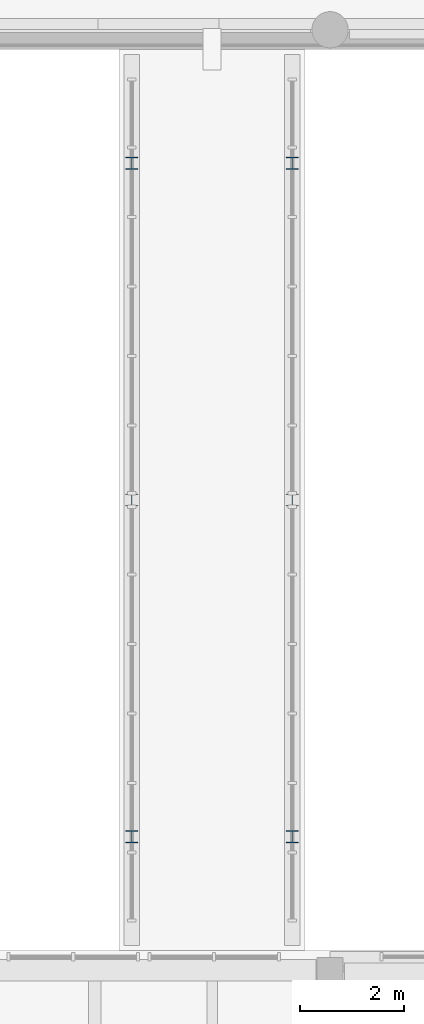
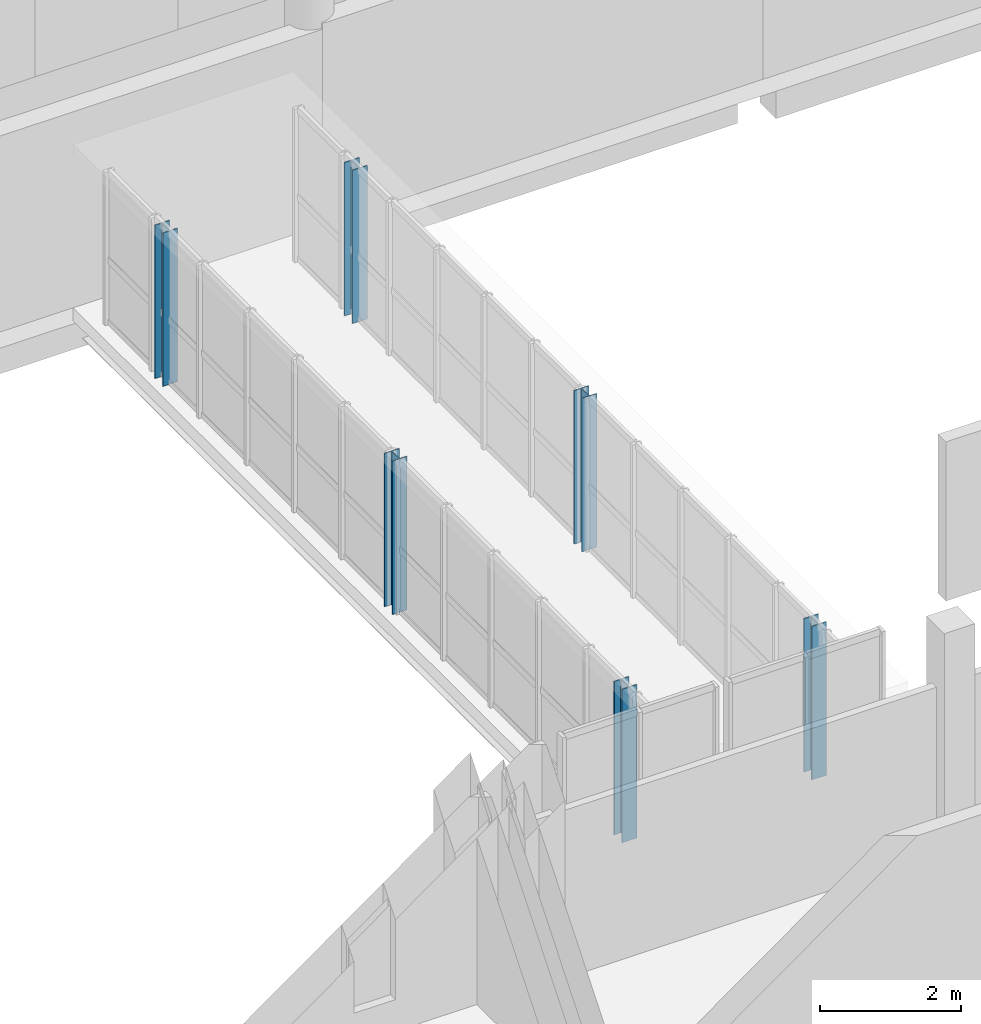
# One storey, part 2 of 76: 6 columns.
"""IFC4 building model written with IfcOpenShell, lengths in metres."""

from ifc_helpers import new_model, si_unit, direction, frame, origin, origin_2d, place, context, subcontext, project, spatial, i_section, extrude, material, material_profile, profile_set, type_object, element, save


model = new_model("IFC4")

# Units and contexts
model_context = context("Model", 3, precision=1e-05, world=origin(), true_north=direction((0.0, 1.0)))
body_context = subcontext(model_context, "Body", "Model", "MODEL_VIEW")
ifc_project = project(units=[si_unit("LENGTHUNIT", "METRE"), si_unit("AREAUNIT", "SQUARE_METRE"), si_unit("VOLUMEUNIT", "CUBIC_METRE"), si_unit("PLANEANGLEUNIT", "RADIAN"), si_unit("MASSUNIT", "GRAM", prefix="KILO")], contexts=[model_context])

# Site, building, storey
site_placement = place(None, origin())
site = spatial("IfcSite", under=ifc_project, at=site_placement, CompositionType="ELEMENT")
building_placement = place(site_placement, origin())
building = spatial("IfcBuilding", under=site, at=building_placement, Name="Vardoun Plaza Health Centre", CompositionType="ELEMENT")
storey_placement = place(building_placement, frame((0.0, 0.0, 4.5)))
storey = spatial("IfcBuildingStorey", under=building, at=storey_placement, Name="L01", CompositionType="ELEMENT", Elevation=4.5)

# Columns
ifc_material = material(Name="Steel S355J2", Category="steel")
ifc_material_profile = material_profile(ifc_material, i_section(OverallWidth=0.239990234375, OverallDepth=0.239990234375, WebThickness=0.010009765625, FlangeThickness=0.01708984375, FilletRadius=0.02099609375, at=origin_2d()), Name="HEB 240")
ifc_profile_set = profile_set([ifc_material_profile], Name="Steel S355J2")
column_type = type_object("IfcColumnType", Name="C-19", PredefinedType="COLUMN", material=ifc_profile_set)
for number, where, z_axis, x_axis, name in (
    (1, (51.25, 21.10009765625, 0.0), (0.0, 0.0, 1.0), (1.0, 0.0, 0.0), "Bridge BR-06 Canopy Post W.1"),
    (2, (51.25, 27.60009765625, 0.0), (0.0, 0.0, 1.0), (1.0, 0.0, 0.0), "Bridge BR-06 Canopy Post W.2"),
    (3, (51.25, 34.10009765625, 0.0), (0.0, 0.0, 1.0), (1.0, 0.0, 0.0), "Bridge BR-06 Canopy Post W.3"),
    (4, (54.35009765625, 21.10009765625, 0.0), (0.0, 0.0, 1.0), (1.0, 0.0, 0.0), "Bridge BR-06 Canopy Post E.1"),
    (5, (54.35009765625, 27.60009765625, 0.0), (0.0, 0.0, 1.0), (1.0, 0.0, 0.0), "Bridge BR-06 Canopy Post E.2"),
    (6, (54.35009765625, 34.10009765625, 0.0), (0.0, 0.0, 1.0), (1.0, 0.0, 0.0), "Bridge BR-06 Canopy Post E.3"),
):
    element("IfcColumn", number, at=place(storey_placement, frame(where, z_axis=z_axis, x_axis=x_axis)), inside=storey, type_object=column_type, Name=name, PredefinedType="COLUMN", context=body_context, shape_type="SweptSolid", body=[
        extrude(i_section(OverallWidth=0.239990234375, OverallDepth=0.239990234375, WebThickness=0.010009765625, FlangeThickness=0.01708984375, FilletRadius=0.02099609375, at=origin_2d()), origin(), (0.0, 0.0, 1.0), 2.64990234375),
    ])

save(model, "model.ifc")
